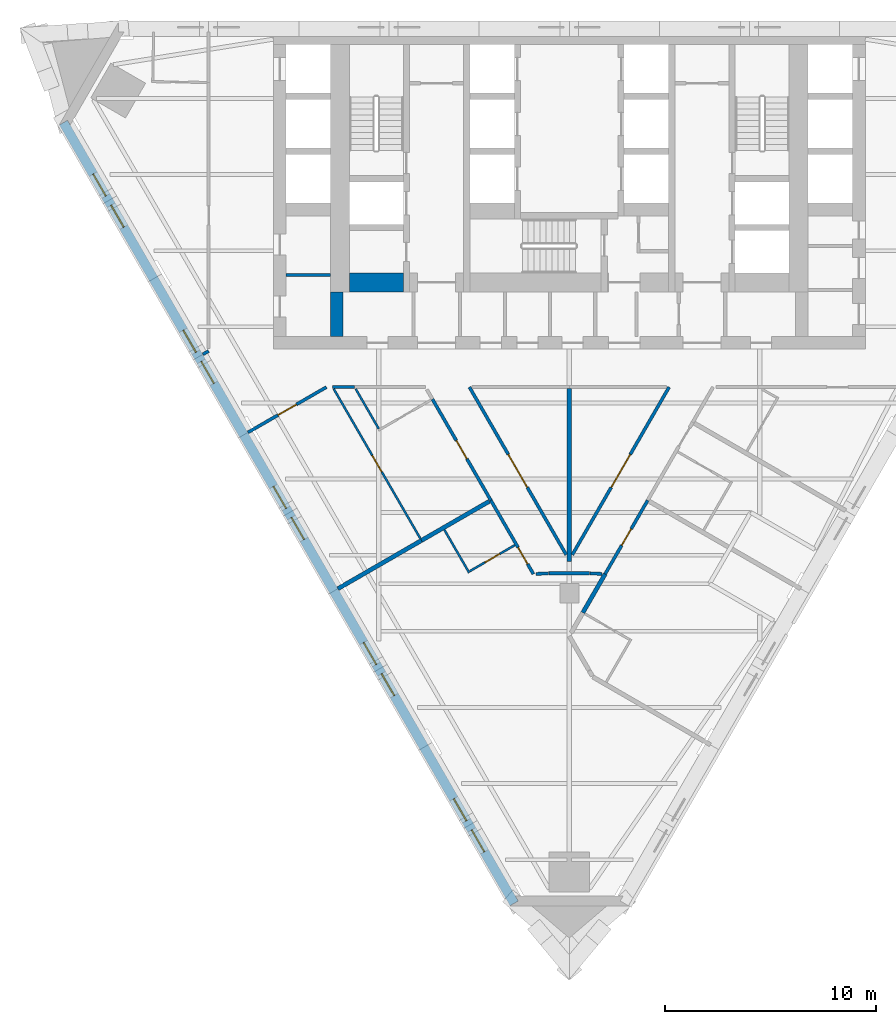
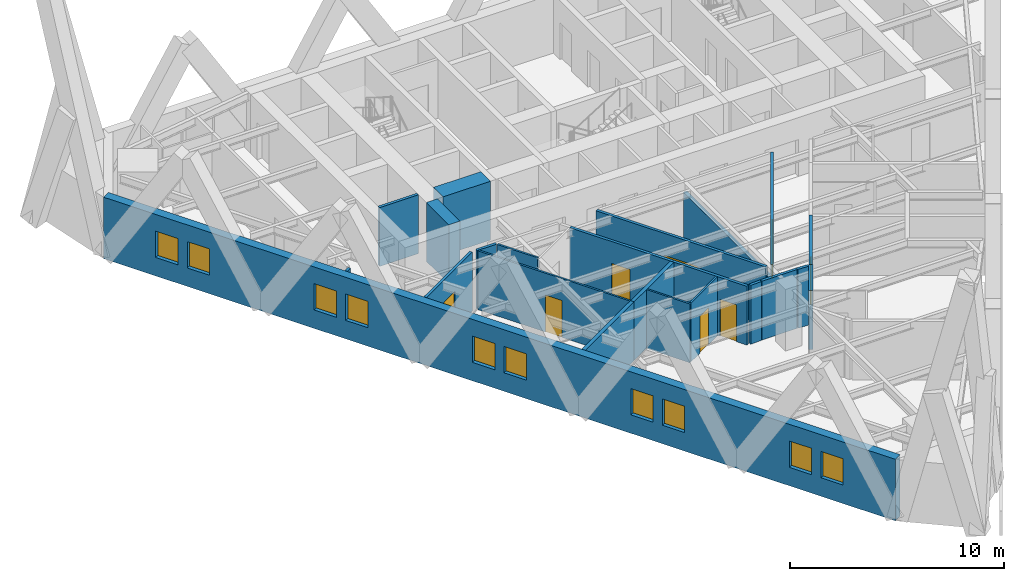
# One storey, part 3 of 9: 23 walls, 10 windows, 8 doors, 18 openings.
"""IFC4 building model written with IfcOpenShell, lengths in metres."""

from ifc_helpers import new_model, si_unit, direction, frame, frame_2d, origin, place, context, subcontext, project, spatial, polyline, rectangle, outline, extrude, material, layer, layer_set, type_object, element, fill, save


model = new_model("IFC4")

# Units and contexts
model_context = context("Model", 3, precision=1e-05, world=origin(), true_north=direction((0.0, 1.0)))
body_context = subcontext(model_context, "Body", "Model", "MODEL_VIEW")
ifc_project = project(units=[si_unit("LENGTHUNIT", "METRE"), si_unit("AREAUNIT", "SQUARE_METRE"), si_unit("VOLUMEUNIT", "CUBIC_METRE"), si_unit("PLANEANGLEUNIT", "RADIAN"), si_unit("MASSUNIT", "GRAM", prefix="KILO")], contexts=[model_context])

# Site, building, storey
site_placement = place(None, origin())
site = spatial("IfcSite", under=ifc_project, at=site_placement, CompositionType="ELEMENT")
building_placement = place(site_placement, origin())
building = spatial("IfcBuilding", under=site, at=building_placement, Name="Aloe Facet Convention Tower", CompositionType="ELEMENT")
storey_placement = place(building_placement, frame((0.0, 0.0, 109.800048828125)))
storey = spatial("IfcBuildingStorey", under=building, at=storey_placement, Name="L27", CompositionType="ELEMENT", Elevation=109.800048828125)

# Walls
ifc_material_1 = material(Name="Concrete blockwork partition", Category="masonry")
ifc_layer_1 = layer(ifc_material_1, 0.14990234375)
ifc_layer_set_1 = layer_set([ifc_layer_1], Name="CR-W-PART150")
wall_type_1 = type_object("IfcWallType", Name="CR-W-PART150", PredefinedType="PARTITIONING", material=ifc_layer_set_1)
wall_1_placement = place(storey_placement, frame((66.60009765625, 123.048583984375, 0.0), z_axis=(0.0, 0.0, 1.0), x_axis=(1.0, 0.0, 0.0)))
element("IfcWall", 1, at=wall_1_placement, inside=storey, type_object=wall_type_1, Name="Core partition L27-007", PredefinedType="PARTITIONING", context=body_context, shape_type="SweptSolid", body=[
    extrude(rectangle(XDim=2.099853515625, YDim=0.14990234375, at=frame_2d((1.0498046875, 0.0))), origin(), (0.0, 0.0, 1.0), 3.349853515625),
])
ifc_material_2 = material(Name="Concrete C70/85", Category="concrete")
ifc_layer_2 = layer(ifc_material_2, 0.60009765625)
ifc_layer_set_2 = layer_set([ifc_layer_2], Name="CR-W-RC600-C7085")
wall_type_2 = type_object("IfcWallType", Name="CR-W-RC600-C7085", PredefinedType="SOLIDWALL", material=ifc_layer_set_2)
wall_2_placement = place(storey_placement, frame((69.0, 122.25, 0.0), z_axis=(0.0, 0.0, 1.0), x_axis=(0.0, -1.0, 0.0)))
element("IfcWall", 2, at=wall_2_placement, inside=storey, type_object=wall_type_2, Name="Core wall L27-009", PredefinedType="SOLIDWALL", context=body_context, shape_type="SweptSolid", body=[
    extrude(rectangle(XDim=2.10009765625, YDim=0.60009765625, at=frame_2d((1.050048828125, 0.0))), origin(), (0.0, 0.0, 1.0), 3.349853515625),
])
ifc_material_3 = material(Name="Concrete C70/85", Category="concrete")
ifc_layer_3 = layer(ifc_material_3, 0.89990234375)
ifc_layer_set_3 = layer_set([ifc_layer_3], Name="CR-W-RC900-C7085")
wall_type_3 = type_object("IfcWallType", Name="CR-W-RC900-C7085", PredefinedType="SOLIDWALL", material=ifc_layer_set_3)
wall_3_placement = place(storey_placement, frame((69.60009765625, 122.699951171875, 0.0), z_axis=(0.0, 0.0, 1.0), x_axis=(1.0, 0.0, 0.0)))
element("IfcWall", 3, at=wall_3_placement, inside=storey, type_object=wall_type_3, Name="Core wall L27-012", PredefinedType="SOLIDWALL", context=body_context, shape_type="SweptSolid", body=[
    extrude(rectangle(XDim=2.5498046875, YDim=0.89990234375, at=frame_2d((1.27490234375, 0.0))), origin(), (0.0, 0.0, 1.0), 3.349853515625),
])

# Wall, openings, windows
ifc_material_4 = material(Name="Precast concrete C40/50", Category="concrete")
ifc_layer_4 = layer(ifc_material_4, 0.449951171875)
ifc_layer_set_4 = layer_set([ifc_layer_4], Name="EV-WALL-STONE")
wall_type_4 = type_object("IfcWallType", Name="EV-WALL-STONE", PredefinedType="SOLIDWALL", material=ifc_layer_set_4)
wall_4_placement = place(storey_placement, frame((56.0732421875, 130.2626953125, -0.150146484375), z_axis=(0.0, 0.0, 1.0), x_axis=(0.500000478905, -0.866025127289, 0.0)))
wall_4 = element("IfcWall", 4, at=wall_4_placement, inside=storey, type_object=wall_type_4, Name="EW-L27-W01", PredefinedType="SOLIDWALL", context=body_context, shape_type="SweptSolid", body=[
    extrude(outline(polyline([(42.64306640625, 0.0), (42.64306640625, 3.5), (0.0, 3.5), (0.0, 0.0), (42.64306640625, 0.0)])), frame((0.0, 0.22509765625, 0.0), z_axis=(0.0, -1.0, 0.0), x_axis=(1.0, 0.0, 0.0)), (0.0, 0.0, 1.0), 0.449951171875),
])
opening_1_placement = place(wall_4_placement, frame((2.814208984375, 0.0, 1.050048828125)))
opening_1 = element("IfcOpeningElement", 5, at=opening_1_placement, cuts=wall_4, Name="Opening W-L27-W01", PredefinedType="OPENING", context=body_context, shape_type="SweptSolid", body=[
    extrude(rectangle(XDim=1.199951171875, YDim=1.5, at=frame_2d((0.60009765625, 0.75))), frame((0.0, 0.23486328125, 0.0), z_axis=(0.0, -1.0, 0.0), x_axis=(1.0, 0.0, 0.0)), (0.0, 0.0, 1.0), 0.469970703125),
])
opening_2_placement = place(wall_4_placement, frame((4.514404296875, 0.0, 1.050048828125)))
opening_2 = element("IfcOpeningElement", 6, at=opening_2_placement, cuts=wall_4, Name="Opening W-L27-W02", PredefinedType="OPENING", context=body_context, shape_type="SweptSolid", body=[
    extrude(rectangle(XDim=1.199951171875, YDim=1.5, at=frame_2d((0.60009765625, 0.75))), frame((0.0, 0.23486328125, 0.0), z_axis=(0.0, -1.0, 0.0), x_axis=(1.0, 0.0, 0.0)), (0.0, 0.0, 1.0), 0.469970703125),
])
opening_3_placement = place(wall_4_placement, frame((11.343017578125, 0.0, 1.050048828125)))
opening_3 = element("IfcOpeningElement", 7, at=opening_3_placement, cuts=wall_4, Name="Opening W-L27-W03", PredefinedType="OPENING", context=body_context, shape_type="SweptSolid", body=[
    extrude(rectangle(XDim=1.199951171875, YDim=1.5, at=frame_2d((0.60009765625, 0.75))), frame((0.0, 0.23486328125, 0.0), z_axis=(0.0, -1.0, 0.0), x_axis=(1.0, 0.0, 0.0)), (0.0, 0.0, 1.0), 0.469970703125),
])
opening_4_placement = place(wall_4_placement, frame((13.04296875, 0.0, 1.050048828125)))
opening_4 = element("IfcOpeningElement", 8, at=opening_4_placement, cuts=wall_4, Name="Opening W-L27-W04", PredefinedType="OPENING", context=body_context, shape_type="SweptSolid", body=[
    extrude(rectangle(XDim=1.199951171875, YDim=1.5, at=frame_2d((0.60009765625, 0.75))), frame((0.0, 0.23486328125, 0.0), z_axis=(0.0, -1.0, 0.0), x_axis=(1.0, 0.0, 0.0)), (0.0, 0.0, 1.0), 0.469970703125),
])
opening_5_placement = place(wall_4_placement, frame((19.87158203125, 0.0, 1.050048828125)))
opening_5 = element("IfcOpeningElement", 9, at=opening_5_placement, cuts=wall_4, Name="Opening W-L27-W05", PredefinedType="OPENING", context=body_context, shape_type="SweptSolid", body=[
    extrude(rectangle(XDim=1.199951171875, YDim=1.5, at=frame_2d((0.60009765625, 0.75))), frame((0.0, 0.23486328125, 0.0), z_axis=(0.0, -1.0, 0.0), x_axis=(1.0, 0.0, 0.0)), (0.0, 0.0, 1.0), 0.469970703125),
])
opening_6_placement = place(wall_4_placement, frame((21.571533203125, 0.0, 1.050048828125)))
opening_6 = element("IfcOpeningElement", 10, at=opening_6_placement, cuts=wall_4, Name="Opening W-L27-W06", PredefinedType="OPENING", context=body_context, shape_type="SweptSolid", body=[
    extrude(rectangle(XDim=1.199951171875, YDim=1.5, at=frame_2d((0.60009765625, 0.75))), frame((0.0, 0.23486328125, 0.0), z_axis=(0.0, -1.0, 0.0), x_axis=(1.0, 0.0, 0.0)), (0.0, 0.0, 1.0), 0.469970703125),
])
opening_7_placement = place(wall_4_placement, frame((28.400146484375, 0.0, 1.050048828125)))
opening_7 = element("IfcOpeningElement", 11, at=opening_7_placement, cuts=wall_4, Name="Opening W-L27-W07", PredefinedType="OPENING", context=body_context, shape_type="SweptSolid", body=[
    extrude(rectangle(XDim=1.199951171875, YDim=1.5, at=frame_2d((0.60009765625, 0.75))), frame((0.0, 0.23486328125, 0.0), z_axis=(0.0, -1.0, 0.0), x_axis=(1.0, 0.0, 0.0)), (0.0, 0.0, 1.0), 0.469970703125),
])
opening_8_placement = place(wall_4_placement, frame((30.10009765625, 0.0, 1.050048828125)))
opening_8 = element("IfcOpeningElement", 12, at=opening_8_placement, cuts=wall_4, Name="Opening W-L27-W08", PredefinedType="OPENING", context=body_context, shape_type="SweptSolid", body=[
    extrude(rectangle(XDim=1.199951171875, YDim=1.5, at=frame_2d((0.60009765625, 0.75))), frame((0.0, 0.23486328125, 0.0), z_axis=(0.0, -1.0, 0.0), x_axis=(1.0, 0.0, 0.0)), (0.0, 0.0, 1.0), 0.469970703125),
])
opening_9_placement = place(wall_4_placement, frame((36.9287109375, 0.0, 1.050048828125)))
opening_9 = element("IfcOpeningElement", 13, at=opening_9_placement, cuts=wall_4, Name="Opening W-L27-W09", PredefinedType="OPENING", context=body_context, shape_type="SweptSolid", body=[
    extrude(rectangle(XDim=1.199951171875, YDim=1.5, at=frame_2d((0.60009765625, 0.75))), frame((0.0, 0.23486328125, 0.0), z_axis=(0.0, -1.0, 0.0), x_axis=(1.0, 0.0, 0.0)), (0.0, 0.0, 1.0), 0.469970703125),
])
opening_10_placement = place(wall_4_placement, frame((38.628662109375, 0.0, 1.050048828125)))
opening_10 = element("IfcOpeningElement", 14, at=opening_10_placement, cuts=wall_4, Name="Opening W-L27-W10", PredefinedType="OPENING", context=body_context, shape_type="SweptSolid", body=[
    extrude(rectangle(XDim=1.199951171875, YDim=1.5, at=frame_2d((0.60009765625, 0.75))), frame((0.0, 0.23486328125, 0.0), z_axis=(0.0, -1.0, 0.0), x_axis=(1.0, 0.0, 0.0)), (0.0, 0.0, 1.0), 0.469970703125),
])
ifc_material_5 = material(Name="Aluminium frame, clear double glazing", Category="aluminium")
window_type = type_object("IfcWindowType", Name="EV-WIN-H12", PartitioningType="SINGLE_PANEL", PredefinedType="WINDOW", material=ifc_material_5)
window_1_placement = place(opening_1_placement, origin())
window_1 = element("IfcWindow", 15, at=window_1_placement, inside=storey, type_object=window_type, Name="W-L27-W01", OverallHeight=1.5, OverallWidth=1.199951171875, PartitioningType="SINGLE_PANEL", PredefinedType="WINDOW", context=body_context, shape_type="SweptSolid", body=[
    extrude(rectangle(XDim=1.199951171875, YDim=1.5, at=frame_2d((0.60009765625, 0.75))), frame((0.0, 0.030029296875, 0.0), z_axis=(0.0, -1.0, 0.0), x_axis=(1.0, 0.0, 0.0)), (0.0, 0.0, 1.0), 0.06005859375),
])
fill(opening_1, window_1)
window_2_placement = place(opening_2_placement, origin())
window_2 = element("IfcWindow", 16, at=window_2_placement, inside=storey, type_object=window_type, Name="W-L27-W02", OverallHeight=1.5, OverallWidth=1.199951171875, PartitioningType="SINGLE_PANEL", PredefinedType="WINDOW", context=body_context, shape_type="SweptSolid", body=[
    extrude(rectangle(XDim=1.199951171875, YDim=1.5, at=frame_2d((0.60009765625, 0.75))), frame((0.0, 0.030029296875, 0.0), z_axis=(0.0, -1.0, 0.0), x_axis=(1.0, 0.0, 0.0)), (0.0, 0.0, 1.0), 0.06005859375),
])
fill(opening_2, window_2)
window_3_placement = place(opening_3_placement, origin())
window_3 = element("IfcWindow", 17, at=window_3_placement, inside=storey, type_object=window_type, Name="W-L27-W03", OverallHeight=1.5, OverallWidth=1.199951171875, PartitioningType="SINGLE_PANEL", PredefinedType="WINDOW", context=body_context, shape_type="SweptSolid", body=[
    extrude(rectangle(XDim=1.199951171875, YDim=1.5, at=frame_2d((0.60009765625, 0.75))), frame((0.0, 0.030029296875, 0.0), z_axis=(0.0, -1.0, 0.0), x_axis=(1.0, 0.0, 0.0)), (0.0, 0.0, 1.0), 0.06005859375),
])
fill(opening_3, window_3)
window_4_placement = place(opening_4_placement, origin())
window_4 = element("IfcWindow", 18, at=window_4_placement, inside=storey, type_object=window_type, Name="W-L27-W04", OverallHeight=1.5, OverallWidth=1.199951171875, PartitioningType="SINGLE_PANEL", PredefinedType="WINDOW", context=body_context, shape_type="SweptSolid", body=[
    extrude(rectangle(XDim=1.199951171875, YDim=1.5, at=frame_2d((0.60009765625, 0.75))), frame((0.0, 0.030029296875, 0.0), z_axis=(0.0, -1.0, 0.0), x_axis=(1.0, 0.0, 0.0)), (0.0, 0.0, 1.0), 0.06005859375),
])
fill(opening_4, window_4)
window_5_placement = place(opening_5_placement, origin())
window_5 = element("IfcWindow", 19, at=window_5_placement, inside=storey, type_object=window_type, Name="W-L27-W05", OverallHeight=1.5, OverallWidth=1.199951171875, PartitioningType="SINGLE_PANEL", PredefinedType="WINDOW", context=body_context, shape_type="SweptSolid", body=[
    extrude(rectangle(XDim=1.199951171875, YDim=1.5, at=frame_2d((0.60009765625, 0.75))), frame((0.0, 0.030029296875, 0.0), z_axis=(0.0, -1.0, 0.0), x_axis=(1.0, 0.0, 0.0)), (0.0, 0.0, 1.0), 0.06005859375),
])
fill(opening_5, window_5)
window_6_placement = place(opening_6_placement, origin())
window_6 = element("IfcWindow", 20, at=window_6_placement, inside=storey, type_object=window_type, Name="W-L27-W06", OverallHeight=1.5, OverallWidth=1.199951171875, PartitioningType="SINGLE_PANEL", PredefinedType="WINDOW", context=body_context, shape_type="SweptSolid", body=[
    extrude(rectangle(XDim=1.199951171875, YDim=1.5, at=frame_2d((0.60009765625, 0.75))), frame((0.0, 0.030029296875, 0.0), z_axis=(0.0, -1.0, 0.0), x_axis=(1.0, 0.0, 0.0)), (0.0, 0.0, 1.0), 0.06005859375),
])
fill(opening_6, window_6)
window_7_placement = place(opening_7_placement, origin())
window_7 = element("IfcWindow", 21, at=window_7_placement, inside=storey, type_object=window_type, Name="W-L27-W07", OverallHeight=1.5, OverallWidth=1.199951171875, PartitioningType="SINGLE_PANEL", PredefinedType="WINDOW", context=body_context, shape_type="SweptSolid", body=[
    extrude(rectangle(XDim=1.199951171875, YDim=1.5, at=frame_2d((0.60009765625, 0.75))), frame((0.0, 0.030029296875, 0.0), z_axis=(0.0, -1.0, 0.0), x_axis=(1.0, 0.0, 0.0)), (0.0, 0.0, 1.0), 0.06005859375),
])
fill(opening_7, window_7)
window_8_placement = place(opening_8_placement, origin())
window_8 = element("IfcWindow", 22, at=window_8_placement, inside=storey, type_object=window_type, Name="W-L27-W08", OverallHeight=1.5, OverallWidth=1.199951171875, PartitioningType="SINGLE_PANEL", PredefinedType="WINDOW", context=body_context, shape_type="SweptSolid", body=[
    extrude(rectangle(XDim=1.199951171875, YDim=1.5, at=frame_2d((0.60009765625, 0.75))), frame((0.0, 0.030029296875, 0.0), z_axis=(0.0, -1.0, 0.0), x_axis=(1.0, 0.0, 0.0)), (0.0, 0.0, 1.0), 0.06005859375),
])
fill(opening_8, window_8)
window_9_placement = place(opening_9_placement, origin())
window_9 = element("IfcWindow", 23, at=window_9_placement, inside=storey, type_object=window_type, Name="W-L27-W09", OverallHeight=1.5, OverallWidth=1.199951171875, PartitioningType="SINGLE_PANEL", PredefinedType="WINDOW", context=body_context, shape_type="SweptSolid", body=[
    extrude(rectangle(XDim=1.199951171875, YDim=1.5, at=frame_2d((0.60009765625, 0.75))), frame((0.0, 0.030029296875, 0.0), z_axis=(0.0, -1.0, 0.0), x_axis=(1.0, 0.0, 0.0)), (0.0, 0.0, 1.0), 0.06005859375),
])
fill(opening_9, window_9)
window_10_placement = place(opening_10_placement, origin())
window_10 = element("IfcWindow", 24, at=window_10_placement, inside=storey, type_object=window_type, Name="W-L27-W10", OverallHeight=1.5, OverallWidth=1.199951171875, PartitioningType="SINGLE_PANEL", PredefinedType="WINDOW", context=body_context, shape_type="SweptSolid", body=[
    extrude(rectangle(XDim=1.199951171875, YDim=1.5, at=frame_2d((0.60009765625, 0.75))), frame((0.0, 0.030029296875, 0.0), z_axis=(0.0, -1.0, 0.0), x_axis=(1.0, 0.0, 0.0)), (0.0, 0.0, 1.0), 0.06005859375),
])
fill(opening_10, window_10)

# Wall, opening, door
ifc_material_6 = material(Name="Gypsum board partition on steel studs", Category="steel")
ifc_layer_5 = layer(ifc_material_6, 0.14990234375)
ifc_layer_set_5 = layer_set([ifc_layer_5], Name="IN-W-CORR")
wall_type_5 = type_object("IfcWallType", Name="IN-W-CORR", PredefinedType="PARTITIONING", material=ifc_layer_set_5)
wall_5_placement = place(storey_placement, frame((76.29248046875, 112.392333984375, 0.0), z_axis=(0.0, 0.0, 1.0), x_axis=(0.500009633848, -0.866019841608, 0.0)))
wall_5 = element("IfcWall", 25, at=wall_5_placement, inside=storey, type_object=wall_type_5, Name="Partition L27-W011", PredefinedType="PARTITIONING", context=body_context, shape_type="SweptSolid", body=[
    extrude(rectangle(XDim=4.02294921875, YDim=0.14990234375, at=frame_2d((2.011474609375, 0.0))), origin(), (0.0, 0.0, 1.0), 3.349853515625),
])
opening_11_placement = place(wall_5_placement, frame((2.570556640625, 0.0, 0.0)))
opening_11 = element("IfcOpeningElement", 26, at=opening_11_placement, cuts=wall_5, Name="Opening L27-003", PredefinedType="OPENING", context=body_context, shape_type="SweptSolid", body=[
    extrude(rectangle(XDim=0.89990234375, YDim=2.10009765625, at=frame_2d((0.449951171875, 1.050048828125))), frame((0.0, 0.0849609375, 0.0), z_axis=(0.0, -1.0, 0.0), x_axis=(1.0, 0.0, 0.0)), (0.0, 0.0, 1.0), 0.169921875),
])
ifc_material_7 = material(Name="Hardwood flush door FD30S", Category="wood")
door_type_1 = type_object("IfcDoorType", Name="IN-D-GUEST", OperationType="SINGLE_SWING_LEFT", PredefinedType="DOOR", material=ifc_material_7)
door_1_placement = place(opening_11_placement, origin())
door_1 = element("IfcDoor", 27, at=door_1_placement, inside=storey, type_object=door_type_1, Name="Door L27-003", OperationType="SINGLE_SWING_LEFT", OverallHeight=2.10009765625, OverallWidth=0.89990234375, PredefinedType="DOOR", context=body_context, shape_type="SweptSolid", body=[
    extrude(rectangle(XDim=0.89990234375, YDim=2.10009765625, at=frame_2d((0.449951171875, 1.050048828125))), frame((0.0, 0.02490234375, 0.0), z_axis=(0.0, -1.0, 0.0), x_axis=(1.0, 0.0, 0.0)), (0.0, 0.0, 1.0), 0.050048828125),
])
fill(opening_11, door_1)

# Walls
wall_6_placement = place(storey_placement, frame((80.9833984375, 108.943359375, 0.0), z_axis=(0.0, 0.0, 1.0), x_axis=(0.998801719891, -0.048940007579, 0.0)))
element("IfcWall", 28, at=wall_6_placement, inside=storey, type_object=wall_type_5, Name="Partition L27-W012", PredefinedType="PARTITIONING", context=body_context, shape_type="SweptSolid", body=[
    extrude(rectangle(XDim=0.57373046875, YDim=0.14990234375, at=frame_2d((0.286865234375, 0.0))), origin(), (0.0, 0.0, 1.0), 3.349853515625),
])
wall_7_placement = place(storey_placement, frame((78.426513671875, 108.914306640625, 0.0), z_axis=(0.0, 0.0, 1.0), x_axis=(0.998790176711, 0.049175023181, 0.0)))
element("IfcWall", 29, at=wall_7_placement, inside=storey, type_object=wall_type_5, Name="Partition L27-W014", PredefinedType="PARTITIONING", context=body_context, shape_type="SweptSolid", body=[
    extrude(rectangle(XDim=0.5908203125, YDim=0.14990234375, at=frame_2d((0.29541015625, 0.0))), origin(), (0.0, 0.0, 1.0), 3.349853515625),
])
wall_8_placement = place(storey_placement, frame((79.050048828125, 108.949951171875, 0.0), z_axis=(0.0, 0.0, 1.0), x_axis=(1.0, 0.0, 0.0)))
element("IfcWall", 30, at=wall_8_placement, inside=storey, type_object=wall_type_5, Name="Partition L27-W015", PredefinedType="PARTITIONING", context=body_context, shape_type="SweptSolid", body=[
    extrude(rectangle(XDim=1.89990234375, YDim=0.14990234375, at=frame_2d((0.949951171875, 0.0))), origin(), (0.0, 0.0, 1.0), 3.349853515625),
])

# Wall, opening, door
wall_9_placement = place(storey_placement, frame((81.696044921875, 108.908447265625, 0.0), z_axis=(0.0, 0.0, 1.0), x_axis=(0.500009633848, 0.866019841608, 0.0)))
wall_9 = element("IfcWall", 31, at=wall_9_placement, inside=storey, type_object=wall_type_5, Name="Partition L27-W029", PredefinedType="PARTITIONING", context=body_context, shape_type="SweptSolid", body=[
    extrude(rectangle(XDim=4.02294921875, YDim=0.14990234375, at=frame_2d((2.011474609375, 0.0))), origin(), (0.0, 0.0, 1.0), 3.349853515625),
])
opening_12_placement = place(wall_9_placement, frame((1.5615234375, 0.0, 0.0)))
opening_12 = element("IfcOpeningElement", 32, at=opening_12_placement, cuts=wall_9, Name="Opening L27-004", PredefinedType="OPENING", context=body_context, shape_type="SweptSolid", body=[
    extrude(rectangle(XDim=0.89990234375, YDim=2.10009765625, at=frame_2d((0.449951171875, 1.050048828125))), frame((0.0, 0.0849609375, 0.0), z_axis=(0.0, -1.0, 0.0), x_axis=(1.0, 0.0, 0.0)), (0.0, 0.0, 1.0), 0.169921875),
])
door_2_placement = place(opening_12_placement, origin())
door_2 = element("IfcDoor", 33, at=door_2_placement, inside=storey, type_object=door_type_1, Name="Door L27-004", OperationType="SINGLE_SWING_LEFT", OverallHeight=2.10009765625, OverallWidth=0.89990234375, PredefinedType="DOOR", context=body_context, shape_type="SweptSolid", body=[
    extrude(rectangle(XDim=0.89990234375, YDim=2.10009765625, at=frame_2d((0.449951171875, 1.050048828125))), frame((0.0, 0.02490234375, 0.0), z_axis=(0.0, -1.0, 0.0), x_axis=(1.0, 0.0, 0.0)), (0.0, 0.0, 1.0), 0.050048828125),
])
fill(opening_12, door_2)

wall_10_placement = place(storey_placement, frame((73.528076171875, 117.18017578125, 0.0), z_axis=(0.0, 0.0, 1.0), x_axis=(0.500019337512, -0.866014238979, 0.0)))
wall_10 = element("IfcWall", 34, at=wall_10_placement, inside=storey, type_object=wall_type_5, Name="Partition L27-W040", PredefinedType="PARTITIONING", context=body_context, shape_type="SweptSolid", body=[
    extrude(rectangle(XDim=5.528564453125, YDim=0.14990234375, at=frame_2d((2.76416015625, 0.0))), origin(), (0.0, 0.0, 1.0), 3.349853515625),
])
opening_13_placement = place(wall_10_placement, frame((2.264404296875, 0.0, 0.0)))
opening_13 = element("IfcOpeningElement", 35, at=opening_13_placement, cuts=wall_10, Name="Opening L27-010", PredefinedType="OPENING", context=body_context, shape_type="SweptSolid", body=[
    extrude(rectangle(XDim=1.0, YDim=2.10009765625, at=frame_2d((0.5, 1.050048828125))), frame((0.0, 0.0849609375, 0.0), z_axis=(0.0, -1.0, 0.0), x_axis=(1.0, 0.0, 0.0)), (0.0, 0.0, 1.0), 0.169921875),
])
ifc_material_8 = material(Name="Hardwood flush door FD30S", Category="wood")
door_type_2 = type_object("IfcDoorType", Name="IN-D-WIDE", OperationType="SINGLE_SWING_LEFT", PredefinedType="DOOR", material=ifc_material_8)
door_3_placement = place(opening_13_placement, origin())
door_3 = element("IfcDoor", 36, at=door_3_placement, inside=storey, type_object=door_type_2, Name="Door L27-010", OperationType="SINGLE_SWING_LEFT", OverallHeight=2.10009765625, OverallWidth=1.0, PredefinedType="DOOR", context=body_context, shape_type="SweptSolid", body=[
    extrude(rectangle(XDim=1.0, YDim=2.10009765625, at=frame_2d((0.5, 1.050048828125))), frame((0.0, 0.02490234375, 0.0), z_axis=(0.0, -1.0, 0.0), x_axis=(1.0, 0.0, 0.0)), (0.0, 0.0, 1.0), 0.050048828125),
])
fill(opening_13, door_3)

wall_11_placement = place(storey_placement, frame((64.805419921875, 115.608154296875, 0.0), z_axis=(0.0, 0.0, 1.0), x_axis=(0.86602138947, 0.500006952933, 0.0)))
wall_11 = element("IfcWall", 37, at=wall_11_placement, inside=storey, type_object=wall_type_5, Name="Partition L27-W042", PredefinedType="PARTITIONING", context=body_context, shape_type="SweptSolid", body=[
    extrude(rectangle(XDim=4.28369140625, YDim=0.14990234375, at=frame_2d((2.141845703125, 0.0))), origin(), (0.0, 0.0, 1.0), 3.349853515625),
])
opening_14_placement = place(wall_11_placement, frame((1.641845703125, 0.0, 0.0)))
opening_14 = element("IfcOpeningElement", 38, at=opening_14_placement, cuts=wall_11, Name="Opening L27-002", PredefinedType="OPENING", context=body_context, shape_type="SweptSolid", body=[
    extrude(rectangle(XDim=1.0, YDim=2.10009765625, at=frame_2d((0.5, 1.050048828125))), frame((0.0, 0.0849609375, 0.0), z_axis=(0.0, -1.0, 0.0), x_axis=(1.0, 0.0, 0.0)), (0.0, 0.0, 1.0), 0.169921875),
])
door_4_placement = place(opening_14_placement, origin())
door_4 = element("IfcDoor", 39, at=door_4_placement, inside=storey, type_object=door_type_2, Name="Door L27-002", OperationType="SINGLE_SWING_LEFT", OverallHeight=2.10009765625, OverallWidth=1.0, PredefinedType="DOOR", context=body_context, shape_type="SweptSolid", body=[
    extrude(rectangle(XDim=1.0, YDim=2.10009765625, at=frame_2d((0.5, 1.050048828125))), frame((0.0, 0.02490234375, 0.0), z_axis=(0.0, -1.0, 0.0), x_axis=(1.0, 0.0, 0.0)), (0.0, 0.0, 1.0), 0.050048828125),
])
fill(opening_14, door_4)

# Wall
wall_12_placement = place(storey_placement, frame((68.811279296875, 117.75, 0.0), z_axis=(0.0, 0.0, 1.0), x_axis=(1.0, 0.0, 0.0)))
element("IfcWall", 40, at=wall_12_placement, inside=storey, type_object=wall_type_5, Name="Partition L27-W043", PredefinedType="PARTITIONING", context=body_context, shape_type="SweptSolid", body=[
    extrude(rectangle(XDim=1.039306640625, YDim=0.14990234375, at=frame_2d((0.51953125, 0.0))), origin(), (0.0, 0.0, 1.0), 3.349853515625),
])

# Wall, opening, door
wall_13_placement = place(storey_placement, frame((75.277587890625, 117.75, 0.0), z_axis=(0.0, 0.0, 1.0), x_axis=(0.500002547313, -0.866023933087, 0.0)))
wall_13 = element("IfcWall", 41, at=wall_13_placement, inside=storey, type_object=wall_type_5, Name="Partition L27-W048", PredefinedType="PARTITIONING", context=body_context, shape_type="SweptSolid", body=[
    extrude(rectangle(XDim=9.15478515625, YDim=0.14990234375, at=frame_2d((4.577392578125, 0.0))), origin(), (0.0, 0.0, 1.0), 3.349853515625),
])
opening_15_placement = place(wall_13_placement, frame((3.677490234375, 0.0, 0.0)))
opening_15 = element("IfcOpeningElement", 42, at=opening_15_placement, cuts=wall_13, Name="Opening L27-008", PredefinedType="OPENING", context=body_context, shape_type="SweptSolid", body=[
    extrude(rectangle(XDim=1.800048828125, YDim=2.10009765625, at=frame_2d((0.89990234375, 1.050048828125))), frame((0.0, 0.0849609375, 0.0), z_axis=(0.0, -1.0, 0.0), x_axis=(1.0, 0.0, 0.0)), (0.0, 0.0, 1.0), 0.169921875),
])
ifc_material_9 = material(Name="Timber flush door pair", Category="wood")
door_type_3 = type_object("IfcDoorType", Name="IN-D-PAIR-U", OperationType="DOUBLE_DOOR_SINGLE_SWING", PredefinedType="DOOR", material=ifc_material_9)
door_5_placement = place(opening_15_placement, origin())
door_5 = element("IfcDoor", 43, at=door_5_placement, inside=storey, type_object=door_type_3, Name="Door L27-008", OperationType="SINGLE_SWING_LEFT", OverallHeight=2.10009765625, OverallWidth=1.800048828125, PredefinedType="DOOR", context=body_context, shape_type="SweptSolid", body=[
    extrude(rectangle(XDim=1.800048828125, YDim=2.10009765625, at=frame_2d((0.89990234375, 1.050048828125))), frame((0.0, 0.02490234375, 0.0), z_axis=(0.0, -1.0, 0.0), x_axis=(1.0, 0.0, 0.0)), (0.0, 0.0, 1.0), 0.050048828125),
])
fill(opening_15, door_5)

wall_14_placement = place(storey_placement, frame((80.14501953125, 109.82177734375, 0.0), z_axis=(0.0, 0.0, 1.0), x_axis=(0.500002547313, 0.866023933087, 0.0)))
wall_14 = element("IfcWall", 44, at=wall_14_placement, inside=storey, type_object=wall_type_5, Name="Partition L27-W050", PredefinedType="PARTITIONING", context=body_context, shape_type="SweptSolid", body=[
    extrude(rectangle(XDim=9.15478515625, YDim=0.14990234375, at=frame_2d((4.577392578125, 0.0))), origin(), (0.0, 0.0, 1.0), 3.349853515625),
])
opening_16_placement = place(wall_14_placement, frame((3.677490234375, 0.0, 0.0)))
opening_16 = element("IfcOpeningElement", 45, at=opening_16_placement, cuts=wall_14, Name="Opening L27-009", PredefinedType="OPENING", context=body_context, shape_type="SweptSolid", body=[
    extrude(rectangle(XDim=1.800048828125, YDim=2.10009765625, at=frame_2d((0.89990234375, 1.050048828125))), frame((0.0, 0.0849609375, 0.0), z_axis=(0.0, -1.0, 0.0), x_axis=(1.0, 0.0, 0.0)), (0.0, 0.0, 1.0), 0.169921875),
])
door_6_placement = place(opening_16_placement, origin())
door_6 = element("IfcDoor", 46, at=door_6_placement, inside=storey, type_object=door_type_3, Name="Door L27-009", OperationType="SINGLE_SWING_LEFT", OverallHeight=2.10009765625, OverallWidth=1.800048828125, PredefinedType="DOOR", context=body_context, shape_type="SweptSolid", body=[
    extrude(rectangle(XDim=1.800048828125, YDim=2.10009765625, at=frame_2d((0.89990234375, 1.050048828125))), frame((0.0, 0.02490234375, 0.0), z_axis=(0.0, -1.0, 0.0), x_axis=(1.0, 0.0, 0.0)), (0.0, 0.0, 1.0), 0.050048828125),
])
fill(opening_16, door_6)

# Walls
wall_15_placement = place(storey_placement, frame((62.67333984375, 119.30126953125, 0.0), z_axis=(0.0, 0.0, 1.0), x_axis=(0.866159461733, 0.499767732902, 0.0)))
element("IfcWall", 47, at=wall_15_placement, inside=storey, type_object=wall_type_5, Name="Partition L27-W055", PredefinedType="PARTITIONING", context=body_context, shape_type="SweptSolid", body=[
    extrude(rectangle(XDim=0.311279296875, YDim=0.14990234375, at=frame_2d((0.15576171875, 0.0))), origin(), (0.0, 0.0, 1.0), 3.349853515625),
])
ifc_material_10 = material(Name="Gypsum board partition on steel studs", Category="steel")
ifc_layer_6 = layer(ifc_material_10, 0.10009765625)
ifc_layer_set_6 = layer_set([ifc_layer_6], Name="IN-W-PART")
wall_type_6 = type_object("IfcWallType", Name="IN-W-PART", PredefinedType="PARTITIONING", material=ifc_layer_set_6)
wall_16_placement = place(storey_placement, frame((74.095703125, 110.9970703125, 0.0), z_axis=(0.0, 0.0, 1.0), x_axis=(0.499954256575, -0.866051812152, 0.0)))
element("IfcWall", 48, at=wall_16_placement, inside=storey, type_object=wall_type_6, Name="Partition L27-W016", PredefinedType="PARTITIONING", context=body_context, shape_type="SweptSolid", body=[
    extrude(rectangle(XDim=2.340087890625, YDim=0.10009765625, at=frame_2d((1.169921875, 0.0))), origin(), (0.0, 0.0, 1.0), 3.349853515625),
])

# Wall, opening, door
wall_17_placement = place(storey_placement, frame((75.292724609375, 109.043701171875, 0.0), z_axis=(0.0, 0.0, 1.0), x_axis=(0.865997559407, 0.500048224776, 0.0)))
wall_17 = element("IfcWall", 49, at=wall_17_placement, inside=storey, type_object=wall_type_6, Name="Partition L27-W018", PredefinedType="PARTITIONING", context=body_context, shape_type="SweptSolid", body=[
    extrude(rectangle(XDim=2.465087890625, YDim=0.10009765625, at=frame_2d((1.232421875, 0.0))), origin(), (0.0, 0.0, 1.0), 3.349853515625),
])
opening_17_placement = place(wall_17_placement, frame((0.83251953125, 0.0, 0.0)))
opening_17 = element("IfcOpeningElement", 50, at=opening_17_placement, cuts=wall_17, Name="Opening L27-014", PredefinedType="OPENING", context=body_context, shape_type="SweptSolid", body=[
    extrude(rectangle(XDim=0.800048828125, YDim=2.10009765625, at=frame_2d((0.39990234375, 1.050048828125))), frame((0.0, 0.06005859375, 0.0), z_axis=(0.0, -1.0, 0.0), x_axis=(1.0, 0.0, 0.0)), (0.0, 0.0, 1.0), 0.1201171875),
])
ifc_material_11 = material(Name="Timber flush door", Category="wood")
door_type_4 = type_object("IfcDoorType", Name="IN-D-BATH", OperationType="SINGLE_SWING_LEFT", PredefinedType="DOOR", material=ifc_material_11)
door_7_placement = place(opening_17_placement, origin())
door_7 = element("IfcDoor", 51, at=door_7_placement, inside=storey, type_object=door_type_4, Name="Door L27-014", OperationType="SINGLE_SWING_LEFT", OverallHeight=2.10009765625, OverallWidth=0.800048828125, PredefinedType="DOOR", context=body_context, shape_type="SweptSolid", body=[
    extrude(rectangle(XDim=0.800048828125, YDim=2.10009765625, at=frame_2d((0.39990234375, 1.050048828125))), frame((0.0, 0.02490234375, 0.0), z_axis=(0.0, -1.0, 0.0), x_axis=(1.0, 0.0, 0.0)), (0.0, 0.0, 1.0), 0.050048828125),
])
fill(opening_17, door_7)

wall_18_placement = place(storey_placement, frame((68.85888671875, 117.667724609375, 0.0), z_axis=(0.0, 0.0, 1.0), x_axis=(0.501038624871, -0.865424922444, 0.0)))
wall_18 = element("IfcWall", 52, at=wall_18_placement, inside=storey, type_object=wall_type_6, Name="Partition L27-W019", PredefinedType="PARTITIONING", context=body_context, shape_type="SweptSolid", body=[
    extrude(rectangle(XDim=8.17529296875, YDim=0.10009765625, at=frame_2d((4.087646484375, 0.0))), origin(), (0.0, 0.0, 1.0), 3.349853515625),
])
opening_18_placement = place(wall_18_placement, frame((3.6376953125, 0.0, 0.0)))
opening_18 = element("IfcOpeningElement", 53, at=opening_18_placement, cuts=wall_18, Name="Opening L27-013", PredefinedType="OPENING", context=body_context, shape_type="SweptSolid", body=[
    extrude(rectangle(XDim=0.89990234375, YDim=2.10009765625, at=frame_2d((0.449951171875, 1.050048828125))), frame((0.0, 0.06005859375, 0.0), z_axis=(0.0, -1.0, 0.0), x_axis=(1.0, 0.0, 0.0)), (0.0, 0.0, 1.0), 0.1201171875),
])
ifc_material_12 = material(Name="Timber flush door", Category="wood")
door_type_5 = type_object("IfcDoorType", Name="IN-D-INT", OperationType="SINGLE_SWING_LEFT", PredefinedType="DOOR", material=ifc_material_12)
door_8_placement = place(opening_18_placement, origin())
door_8 = element("IfcDoor", 54, at=door_8_placement, inside=storey, type_object=door_type_5, Name="Door L27-013", OperationType="SINGLE_SWING_LEFT", OverallHeight=2.10009765625, OverallWidth=0.89990234375, PredefinedType="DOOR", context=body_context, shape_type="SweptSolid", body=[
    extrude(rectangle(XDim=0.89990234375, YDim=2.10009765625, at=frame_2d((0.449951171875, 1.050048828125))), frame((0.0, 0.02490234375, 0.0), z_axis=(0.0, -1.0, 0.0), x_axis=(1.0, 0.0, 0.0)), (0.0, 0.0, 1.0), 0.050048828125),
])
fill(opening_18, door_8)

# Walls
wall_19_placement = place(storey_placement, frame((69.89794921875, 117.667724609375, 0.0), z_axis=(0.0, 0.0, 1.0), x_axis=(0.500028399337, -0.866009006799, 0.0)))
element("IfcWall", 55, at=wall_19_placement, inside=storey, type_object=wall_type_6, Name="Partition L27-W045", PredefinedType="PARTITIONING", context=body_context, shape_type="SweptSolid", body=[
    extrude(rectangle(XDim=2.187255859375, YDim=0.10009765625, at=frame_2d((1.09375, 0.0))), origin(), (0.0, 0.0, 1.0), 3.349853515625),
])
ifc_material_13 = material(Name="Gypsum board partition on steel studs", Category="steel")
ifc_layer_7 = layer(ifc_material_13, 0.199951171875)
ifc_layer_set_7 = layer_set([ifc_layer_7], Name="IN-W-PARTY")
wall_type_7 = type_object("IfcWallType", Name="IN-W-PARTY", PredefinedType="PARTITIONING", material=ifc_layer_set_7)
wall_20_placement = place(storey_placement, frame((69.06103515625, 108.21728515625, 0.0), z_axis=(0.0, 0.0, 1.0), x_axis=(0.866030456496, 0.499991248344, 0.0)))
element("IfcWall", 56, at=wall_20_placement, inside=storey, type_object=wall_type_7, Name="Partition L27-W009", PredefinedType="PARTITIONING", context=body_context, shape_type="SweptSolid", body=[
    extrude(rectangle(XDim=4.56005859375, YDim=0.199951171875, at=frame_2d((2.280029296875, 0.0))), origin(), (0.0, 0.0, 1.0), 3.349853515625),
])
wall_21_placement = place(storey_placement, frame((80.643310546875, 107.084716796875, 0.0), z_axis=(0.0, 0.0, 1.0), x_axis=(0.499929868688, 0.86606589033, 0.0)))
element("IfcWall", 57, at=wall_21_placement, inside=storey, type_object=wall_type_7, Name="Partition L27-W013", PredefinedType="PARTITIONING", context=body_context, shape_type="SweptSolid", body=[
    extrude(rectangle(XDim=2.105712890625, YDim=0.199951171875, at=frame_2d((1.052734375, 0.0))), origin(), (0.0, 0.0, 1.0), 3.349853515625),
])
wall_22_placement = place(storey_placement, frame((80.0, 109.49560546875, 0.0), z_axis=(0.0, 0.0, 1.0), x_axis=(0.0, 1.0, 0.0)))
element("IfcWall", 58, at=wall_22_placement, inside=storey, type_object=wall_type_7, Name="Partition L27-W017", PredefinedType="PARTITIONING", context=body_context, shape_type="SweptSolid", body=[
    extrude(rectangle(XDim=8.179443359375, YDim=0.199951171875, at=frame_2d((4.08984375, 0.0))), origin(), (0.0, 0.0, 1.0), 2.800537109375),
])
wall_23_placement = place(storey_placement, frame((73.01025390625, 110.497314453125, 0.0), z_axis=(0.0, 0.0, 1.0), x_axis=(0.866012199007, 0.500022870649, 0.0)))
element("IfcWall", 59, at=wall_23_placement, inside=storey, type_object=wall_type_7, Name="Partition L27-W028", PredefinedType="PARTITIONING", context=body_context, shape_type="SweptSolid", body=[
    extrude(rectangle(XDim=3.704833984375, YDim=0.199951171875, at=frame_2d((1.8525390625, 0.0))), origin(), (0.0, 0.0, 1.0), 3.349853515625),
])

save(model, "model.ifc")
